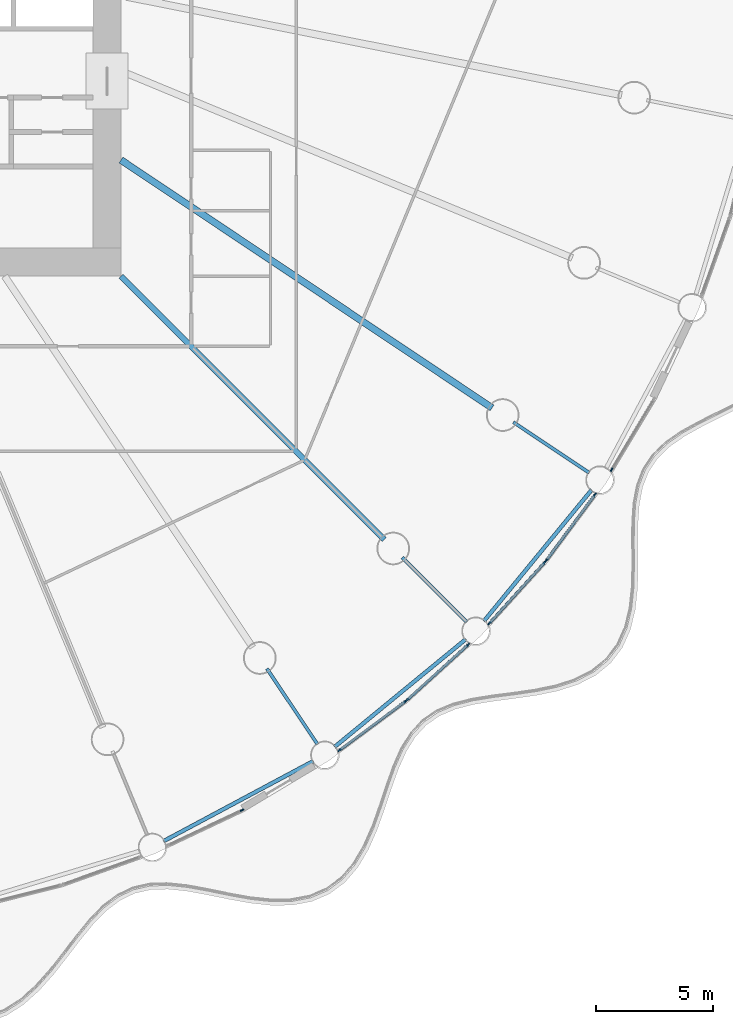
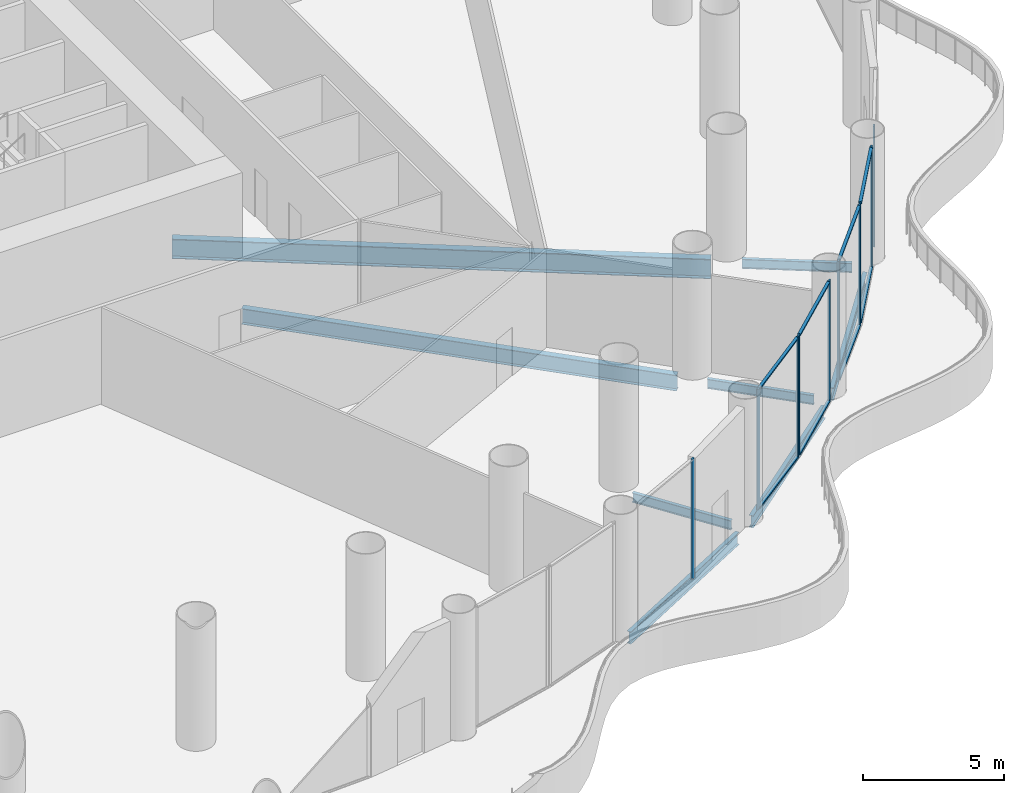
# One storey, part 11 of 37: 18 members, 8 beams, 6 elements without a shape of their own.
"""IFC4 building model written with IfcOpenShell, lengths in metres."""

from ifc_helpers import new_model, si_unit, direction, frame, origin, origin_2d, place, context, subcontext, project, spatial, rectangle, i_section, extrude, material, material_profile, profile_set, type_object, element, aggregate, save


model = new_model("IFC4")

# Units and contexts
model_context = context("Model", 3, precision=1e-05, world=origin(), true_north=direction((0.0, 1.0)))
body_context = subcontext(model_context, "Body", "Model", "MODEL_VIEW")
ifc_project = project(units=[si_unit("LENGTHUNIT", "METRE"), si_unit("AREAUNIT", "SQUARE_METRE"), si_unit("VOLUMEUNIT", "CUBIC_METRE"), si_unit("PLANEANGLEUNIT", "RADIAN"), si_unit("MASSUNIT", "GRAM", prefix="KILO")], contexts=[model_context])

# Site, building, storey
site_placement = place(None, origin())
site = spatial("IfcSite", under=ifc_project, at=site_placement, CompositionType="ELEMENT")
building_placement = place(site_placement, origin())
building = spatial("IfcBuilding", under=site, at=building_placement, Name="Corvane Civic Tower", CompositionType="ELEMENT")
storey_placement = place(building_placement, frame((0.0, 0.0, 11.5)))
storey = spatial("IfcBuildingStorey", under=building, at=storey_placement, Name="L02", CompositionType="ELEMENT", Elevation=11.5)

# Beams
ifc_material_1 = material(Name="Steel ASTM A992 Gr 50", Category="steel")
ifc_material_profile_1 = material_profile(ifc_material_1, i_section(OverallWidth=0.165771484375, OverallDepth=0.5283203125, WebThickness=0.009765625, FlangeThickness=0.013671875, at=origin_2d()), Name="W21X50")
ifc_profile_set_1 = profile_set([ifc_material_profile_1], Name="Steel ASTM A992 Gr 50")
beam_type_1 = type_object("IfcBeamType", Name="EDGE BEAM W21X50", PredefinedType="BEAM", material=ifc_profile_set_1)
for number, where, z_axis, x_axis, name in (
    (1, (35.15478515625, -24.14794921875, -0.564208984375), (-0.634396365205, -0.773007924807, 0.0), (0.773007924807, -0.634396365205, 0.0), "BM-L02-E12"),
    (2, (29.768310546875, -30.542236328125, -0.564208984375), (-0.773007924807, -0.634396365205, 0.0), (0.634396365205, -0.773007924807, 0.0), "BM-L02-E13"),
    (3, (23.23779296875, -35.762939453125, -0.564208984375), (-0.881912894916, -0.471412394598, 0.0), (0.471412394598, -0.881912894916, 0.0), "BM-L02-E14"),
):
    element("IfcBeam", number, at=place(storey_placement, frame(where, z_axis=z_axis, x_axis=x_axis)), inside=storey, type_object=beam_type_1, Name=name, PredefinedType="BEAM", context=body_context, shape_type="SweptSolid", body=[
        extrude(i_section(OverallWidth=0.165771484375, OverallDepth=0.5283203125, WebThickness=0.009765625, FlangeThickness=0.013671875, at=origin_2d()), origin(), (0.0, 0.0, 1.0), 7.270751953125),
    ])
ifc_material_2 = material(Name="Steel ASTM A992 Gr 50", Category="steel")
ifc_material_profile_2 = material_profile(ifc_material_2, i_section(OverallWidth=0.140380859375, OverallDepth=0.40380859375, WebThickness=0.007080078125, FlangeThickness=0.01123046875, at=origin_2d()), Name="W16X31")
ifc_profile_set_2 = profile_set([ifc_material_profile_2], Name="Steel ASTM A992 Gr 50")
beam_type_2 = type_object("IfcBeamType", Name="FLOOR GIRDER W16X31", PredefinedType="BEAM", material=ifc_profile_set_2)
for number, where, z_axis, x_axis, name in (
    (4, (31.8037109375, -21.25048828125, -0.501953125), (0.831462344301, -0.555581110199, 0.0), (0.555581110199, 0.831462344301, 0.0), "BM-L02-G12b"),
    (5, (27.046875, -27.046875, -0.501953125), (0.707106781187, -0.707106781187, 0.0), (0.707106781187, 0.707106781187, 0.0), "BM-L02-G13b"),
    (6, (21.25048828125, -31.8037109375, -0.501953125), (0.555581110199, -0.831462344301, 0.0), (0.831462344301, 0.555581110199, 0.0), "BM-L02-G14b"),
):
    element("IfcBeam", number, at=place(storey_placement, frame(where, z_axis=z_axis, x_axis=x_axis)), inside=storey, type_object=beam_type_2, Name=name, PredefinedType="BEAM", context=body_context, shape_type="SweptSolid", body=[
        extrude(i_section(OverallWidth=0.140380859375, OverallDepth=0.40380859375, WebThickness=0.007080078125, FlangeThickness=0.01123046875, at=origin_2d()), origin(), (0.0, 0.0, 1.0), 3.89990234375),
    ])
ifc_material_3 = material(Name="Steel ASTM A992 Gr 50", Category="steel")
ifc_material_profile_3 = material_profile(ifc_material_3, i_section(OverallWidth=0.25390625, OverallDepth=0.67822265625, WebThickness=0.01171875, FlangeThickness=0.016357421875, at=origin_2d()), Name="W27X84")
ifc_profile_set_3 = profile_set([ifc_material_profile_3], Name="Steel ASTM A992 Gr 50")
beam_type_3 = type_object("IfcBeamType", Name="FLOOR GIRDER W27X84", PredefinedType="BEAM", material=ifc_profile_set_3)
beam_1_placement = place(storey_placement, frame((15.0, -15.0, -0.63916015625), z_axis=(0.707106781187, -0.707106781187, 0.0), x_axis=(0.707106781187, 0.707106781187, 0.0)))
element("IfcBeam", 7, at=beam_1_placement, inside=storey, type_object=beam_type_3, Name="BM-L02-G13", PredefinedType="BEAM", context=body_context, shape_type="SweptSolid", body=[
    extrude(i_section(OverallWidth=0.25390625, OverallDepth=0.67822265625, WebThickness=0.01171875, FlangeThickness=0.016357421875, at=origin_2d()), origin(), (0.0, 0.0, 1.0), 15.936767578125),
])
ifc_material_4 = material(Name="Steel ASTM A992 Gr 50", Category="steel")
ifc_material_profile_4 = material_profile(ifc_material_4, i_section(OverallWidth=0.2919921875, OverallDepth=0.845703125, WebThickness=0.015380859375, FlangeThickness=0.0244140625, at=origin_2d()), Name="W33X141")
ifc_profile_set_4 = profile_set([ifc_material_profile_4], Name="Steel ASTM A992 Gr 50")
beam_type_4 = type_object("IfcBeamType", Name="FLOOR GIRDER W33X141", PredefinedType="BEAM", material=ifc_profile_set_4)
beam_2_placement = place(storey_placement, frame((15.0, -10.022705078125, -0.722900390625), z_axis=(0.831471985418, -0.555566681385, 0.0), x_axis=(0.555566681385, 0.831471985418, 0.0)))
element("IfcBeam", 8, at=beam_2_placement, inside=storey, type_object=beam_type_4, Name="BM-L02-G12", PredefinedType="BEAM", context=body_context, shape_type="SweptSolid", body=[
    extrude(i_section(OverallWidth=0.2919921875, OverallDepth=0.845703125, WebThickness=0.015380859375, FlangeThickness=0.0244140625, at=origin_2d()), origin(), (0.0, 0.0, 1.0), 19.109619140625),
])

# Curtain wall, member
ifc_material_5 = material(Name="Aluminium and glass", Category="aluminium")
curtain_wall_type = type_object("IfcCurtainWallType", Name="PODIUM-CW-P-RUN", PredefinedType="NOTDEFINED", material=ifc_material_5)
curtain_wall_1_placement = place(storey_placement, origin())
curtain_wall_1 = element("IfcCurtainWall", 9, at=curtain_wall_1_placement, inside=storey, type_object=curtain_wall_type, Name="PODI run L02-drum-11B", PredefinedType="NOTDEFINED")
ifc_material_6 = material(Name="Anodised aluminium bronze", Category="aluminium")
ifc_material_profile_5 = material_profile(ifc_material_6, rectangle(XDim=0.06005859375, YDim=0.159912109375, at=origin_2d()), Name="AL 60x160")
ifc_profile_set_5 = profile_set([ifc_material_profile_5], Name="Anodised aluminium bronze")
member_type_1 = type_object("IfcMemberType", Name="PODIUM-CWP-MULLION-60x160", PredefinedType="MULLION", material=ifc_profile_set_5)
member_1_placement = place(storey_placement, frame((36.010009765625, -23.28564453125, 0.0), z_axis=(0.0, 0.0, 1.0), x_axis=(0.857719609779, -0.514117759857, 0.0)))
member_1 = element("IfcMember", 10, at=member_1_placement, type_object=member_type_1, Name="CW-P mullion 2", PredefinedType="MULLION", context=body_context, shape_type="SweptSolid", body=[
    extrude(rectangle(XDim=0.06005859375, YDim=0.159912109375, at=origin_2d()), origin(), (0.0, 0.0, 1.0), 5.199951171875),
])
aggregate(curtain_wall_1, [member_1])

# Curtain wall, members
curtain_wall_2_placement = place(storey_placement, origin())
curtain_wall_2 = element("IfcCurtainWall", 11, at=curtain_wall_2_placement, inside=storey, type_object=curtain_wall_type, Name="PODI run L02-drum-12A", PredefinedType="NOTDEFINED")
member_2_placement = place(storey_placement, frame((35.293701171875, -24.35791015625, 0.0), z_axis=(0.0, 0.0, 1.0), x_axis=(0.803203229747, -0.595705104665, 0.0)))
member_2 = element("IfcMember", 12, at=member_2_placement, type_object=member_type_1, Name="CW-P mullion 1", PredefinedType="MULLION", context=body_context, shape_type="SweptSolid", body=[
    extrude(rectangle(XDim=0.06005859375, YDim=0.159912109375, at=origin_2d()), origin(), (0.0, 0.0, 1.0), 5.199951171875),
])
member_3_placement = place(storey_placement, frame((33.197021484375, -27.18505859375, 0.0), z_axis=(0.0, 0.0, 1.0), x_axis=(0.803203229747, -0.595705104665, 0.0)))
member_3 = element("IfcMember", 13, at=member_3_placement, type_object=member_type_1, Name="CW-P mullion 2", PredefinedType="MULLION", context=body_context, shape_type="SweptSolid", body=[
    extrude(rectangle(XDim=0.06005859375, YDim=0.159912109375, at=origin_2d()), origin(), (0.0, 0.0, 1.0), 5.199951171875),
])

curtain_wall_3_placement = place(storey_placement, origin())
curtain_wall_3 = element("IfcCurtainWall", 14, at=curtain_wall_3_placement, inside=storey, type_object=curtain_wall_type, Name="PODI run L02-drum-12B", PredefinedType="NOTDEFINED")
member_4_placement = place(storey_placement, frame((33.13916015625, -27.25537109375, 0.0), z_axis=(0.0, 0.0, 1.0), x_axis=(0.740935261089, -0.671576457952, 0.0)))
member_4 = element("IfcMember", 15, at=member_4_placement, type_object=member_type_1, Name="CW-P mullion 1", PredefinedType="MULLION", context=body_context, shape_type="SweptSolid", body=[
    extrude(rectangle(XDim=0.06005859375, YDim=0.159912109375, at=origin_2d()), origin(), (0.0, 0.0, 1.0), 5.199951171875),
])
member_5_placement = place(storey_placement, frame((30.775390625, -29.863525390625, 0.0), z_axis=(0.0, 0.0, 1.0), x_axis=(0.740935261089, -0.671576457952, 0.0)))
member_5 = element("IfcMember", 16, at=member_5_placement, type_object=member_type_1, Name="CW-P mullion 2", PredefinedType="MULLION", context=body_context, shape_type="SweptSolid", body=[
    extrude(rectangle(XDim=0.06005859375, YDim=0.159912109375, at=origin_2d()), origin(), (0.0, 0.0, 1.0), 5.199951171875),
])

curtain_wall_4_placement = place(storey_placement, origin())
curtain_wall_4 = element("IfcCurtainWall", 17, at=curtain_wall_4_placement, inside=storey, type_object=curtain_wall_type, Name="PODI run L02-drum-13A", PredefinedType="NOTDEFINED")
member_6_placement = place(storey_placement, frame((29.863525390625, -30.775390625, 0.0), z_axis=(0.0, 0.0, 1.0), x_axis=(0.671576457952, -0.740935261089, 0.0)))
member_6 = element("IfcMember", 18, at=member_6_placement, type_object=member_type_1, Name="CW-P mullion 1", PredefinedType="MULLION", context=body_context, shape_type="SweptSolid", body=[
    extrude(rectangle(XDim=0.06005859375, YDim=0.159912109375, at=origin_2d()), origin(), (0.0, 0.0, 1.0), 5.199951171875),
])
member_7_placement = place(storey_placement, frame((27.25537109375, -33.13916015625, 0.0), z_axis=(0.0, 0.0, 1.0), x_axis=(0.671576457952, -0.740935261089, 0.0)))
member_7 = element("IfcMember", 19, at=member_7_placement, type_object=member_type_1, Name="CW-P mullion 2", PredefinedType="MULLION", context=body_context, shape_type="SweptSolid", body=[
    extrude(rectangle(XDim=0.06005859375, YDim=0.159912109375, at=origin_2d()), origin(), (0.0, 0.0, 1.0), 5.199951171875),
])

curtain_wall_5_placement = place(storey_placement, origin())
curtain_wall_5 = element("IfcCurtainWall", 20, at=curtain_wall_5_placement, inside=storey, type_object=curtain_wall_type, Name="PODI run L02-drum-13B", PredefinedType="NOTDEFINED")
member_8_placement = place(storey_placement, frame((27.18505859375, -33.197021484375, 0.0), z_axis=(0.0, 0.0, 1.0), x_axis=(0.595705104665, -0.803203229747, 0.0)))
member_8 = element("IfcMember", 21, at=member_8_placement, type_object=member_type_1, Name="CW-P mullion 1", PredefinedType="MULLION", context=body_context, shape_type="SweptSolid", body=[
    extrude(rectangle(XDim=0.06005859375, YDim=0.159912109375, at=origin_2d()), origin(), (0.0, 0.0, 1.0), 5.199951171875),
])
member_9_placement = place(storey_placement, frame((24.35791015625, -35.293701171875, 0.0), z_axis=(0.0, 0.0, 1.0), x_axis=(0.595705104665, -0.803203229747, 0.0)))
member_9 = element("IfcMember", 22, at=member_9_placement, type_object=member_type_1, Name="CW-P mullion 2", PredefinedType="MULLION", context=body_context, shape_type="SweptSolid", body=[
    extrude(rectangle(XDim=0.06005859375, YDim=0.159912109375, at=origin_2d()), origin(), (0.0, 0.0, 1.0), 5.199951171875),
])

# Curtain wall, member
curtain_wall_6_placement = place(storey_placement, origin())
curtain_wall_6 = element("IfcCurtainWall", 23, at=curtain_wall_6_placement, inside=storey, type_object=curtain_wall_type, Name="PODI run L02-drum-14B", PredefinedType="NOTDEFINED")
member_10_placement = place(storey_placement, frame((20.186279296875, -37.862548828125, 0.0), z_axis=(0.0, 0.0, 1.0), x_axis=(0.42755312852, -0.903990222454, 0.0)))
member_10 = element("IfcMember", 24, at=member_10_placement, type_object=member_type_1, Name="CW-P mullion 1", PredefinedType="MULLION", context=body_context, shape_type="SweptSolid", body=[
    extrude(rectangle(XDim=0.06005859375, YDim=0.159912109375, at=origin_2d()), origin(), (0.0, 0.0, 1.0), 5.199951171875),
])
aggregate(curtain_wall_6, [member_10])

# Member
ifc_material_7 = material(Name="Anodised aluminium bronze", Category="aluminium")
ifc_material_profile_6 = material_profile(ifc_material_7, rectangle(XDim=0.1201171875, YDim=0.06005859375, at=origin_2d()), Name="AL 120x60")
ifc_profile_set_6 = profile_set([ifc_material_profile_6], Name="Anodised aluminium bronze")
member_type_2 = type_object("IfcMemberType", Name="PODIUM-CWP-TRANSOM-60x120", PredefinedType="USERDEFINED", material=ifc_profile_set_6)
member_11_placement = place(storey_placement, frame((35.27587890625, -24.382080078125, 0.030029296875), z_axis=(-0.595723591285, -0.803189518598, 0.0), x_axis=(0.803189518598, -0.595723591285, 0.0)))
member_11 = element("IfcMember", 25, at=member_11_placement, type_object=member_type_2, Name="CW-P transom 1.1", ObjectType="TRANSOM", PredefinedType="USERDEFINED", context=body_context, shape_type="SweptSolid", body=[
    extrude(rectangle(XDim=0.1201171875, YDim=0.06005859375, at=origin_2d()), origin(), (0.0, 0.0, 1.0), 3.459716796875),
])

member_12_placement = place(storey_placement, frame((35.27587890625, -24.382080078125, 5.169921875), z_axis=(-0.595723591285, -0.803189518598, 0.0), x_axis=(0.803189518598, -0.595723591285, 0.0)))
member_12 = element("IfcMember", 26, at=member_12_placement, type_object=member_type_2, Name="CW-P transom 1.2", ObjectType="TRANSOM", PredefinedType="USERDEFINED", context=body_context, shape_type="SweptSolid", body=[
    extrude(rectangle(XDim=0.1201171875, YDim=0.06005859375, at=origin_2d()), origin(), (0.0, 0.0, 1.0), 3.459716796875),
])

aggregate(curtain_wall_2, [member_2, member_3, member_11, member_12])

member_13_placement = place(storey_placement, frame((33.119140625, -27.277587890625, 0.030029296875), z_axis=(-0.671576323599, -0.740935382865, 0.0), x_axis=(0.740935382865, -0.671576323599, 0.0)))
member_13 = element("IfcMember", 27, at=member_13_placement, type_object=member_type_2, Name="CW-P transom 1.1", ObjectType="TRANSOM", PredefinedType="USERDEFINED", context=body_context, shape_type="SweptSolid", body=[
    extrude(rectangle(XDim=0.1201171875, YDim=0.06005859375, at=origin_2d()), origin(), (0.0, 0.0, 1.0), 3.460205078125),
])

member_14_placement = place(storey_placement, frame((33.119140625, -27.277587890625, 5.169921875), z_axis=(-0.671576323599, -0.740935382865, 0.0), x_axis=(0.740935382865, -0.671576323599, 0.0)))
member_14 = element("IfcMember", 28, at=member_14_placement, type_object=member_type_2, Name="CW-P transom 1.2", ObjectType="TRANSOM", PredefinedType="USERDEFINED", context=body_context, shape_type="SweptSolid", body=[
    extrude(rectangle(XDim=0.1201171875, YDim=0.06005859375, at=origin_2d()), origin(), (0.0, 0.0, 1.0), 3.460205078125),
])

aggregate(curtain_wall_3, [member_4, member_5, member_13, member_14])

member_15_placement = place(storey_placement, frame((29.84130859375, -30.79541015625, 0.030029296875), z_axis=(-0.740935382865, -0.671576323599, 0.0), x_axis=(0.671576323599, -0.740935382865, 0.0)))
member_15 = element("IfcMember", 29, at=member_15_placement, type_object=member_type_2, Name="CW-P transom 1.1", ObjectType="TRANSOM", PredefinedType="USERDEFINED", context=body_context, shape_type="SweptSolid", body=[
    extrude(rectangle(XDim=0.1201171875, YDim=0.06005859375, at=origin_2d()), origin(), (0.0, 0.0, 1.0), 3.460205078125),
])

member_16_placement = place(storey_placement, frame((29.84130859375, -30.79541015625, 5.169921875), z_axis=(-0.740935382865, -0.671576323599, 0.0), x_axis=(0.671576323599, -0.740935382865, 0.0)))
member_16 = element("IfcMember", 30, at=member_16_placement, type_object=member_type_2, Name="CW-P transom 1.2", ObjectType="TRANSOM", PredefinedType="USERDEFINED", context=body_context, shape_type="SweptSolid", body=[
    extrude(rectangle(XDim=0.1201171875, YDim=0.06005859375, at=origin_2d()), origin(), (0.0, 0.0, 1.0), 3.460205078125),
])

aggregate(curtain_wall_4, [member_6, member_7, member_15, member_16])

member_17_placement = place(storey_placement, frame((27.160888671875, -33.21484375, 0.030029296875), z_axis=(-0.803189518598, -0.595723591285, 0.0), x_axis=(0.595723591285, -0.803189518598, 0.0)))
member_17 = element("IfcMember", 31, at=member_17_placement, type_object=member_type_2, Name="CW-P transom 1.1", ObjectType="TRANSOM", PredefinedType="USERDEFINED", context=body_context, shape_type="SweptSolid", body=[
    extrude(rectangle(XDim=0.1201171875, YDim=0.06005859375, at=origin_2d()), origin(), (0.0, 0.0, 1.0), 3.459716796875),
])

member_18_placement = place(storey_placement, frame((27.160888671875, -33.21484375, 5.169921875), z_axis=(-0.803189518598, -0.595723591285, 0.0), x_axis=(0.595723591285, -0.803189518598, 0.0)))
member_18 = element("IfcMember", 32, at=member_18_placement, type_object=member_type_2, Name="CW-P transom 1.2", ObjectType="TRANSOM", PredefinedType="USERDEFINED", context=body_context, shape_type="SweptSolid", body=[
    extrude(rectangle(XDim=0.1201171875, YDim=0.06005859375, at=origin_2d()), origin(), (0.0, 0.0, 1.0), 3.459716796875),
])

aggregate(curtain_wall_5, [member_8, member_9, member_17, member_18])

save(model, "model.ifc")
